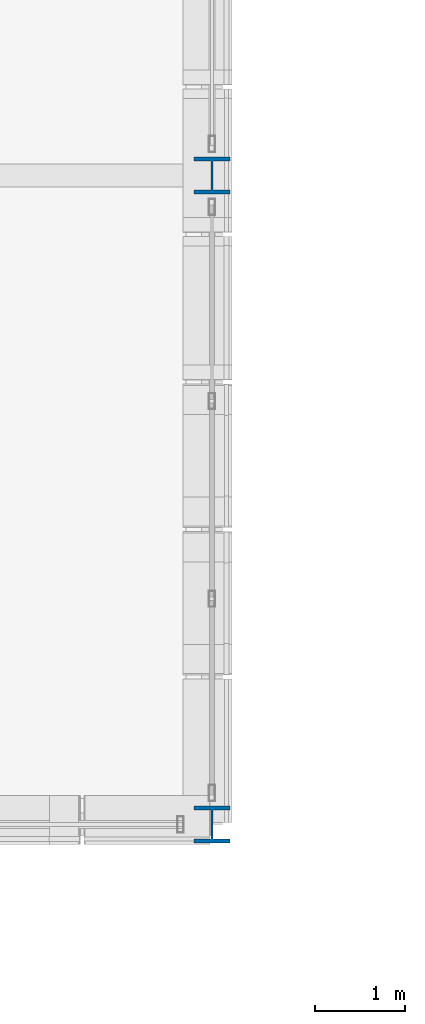
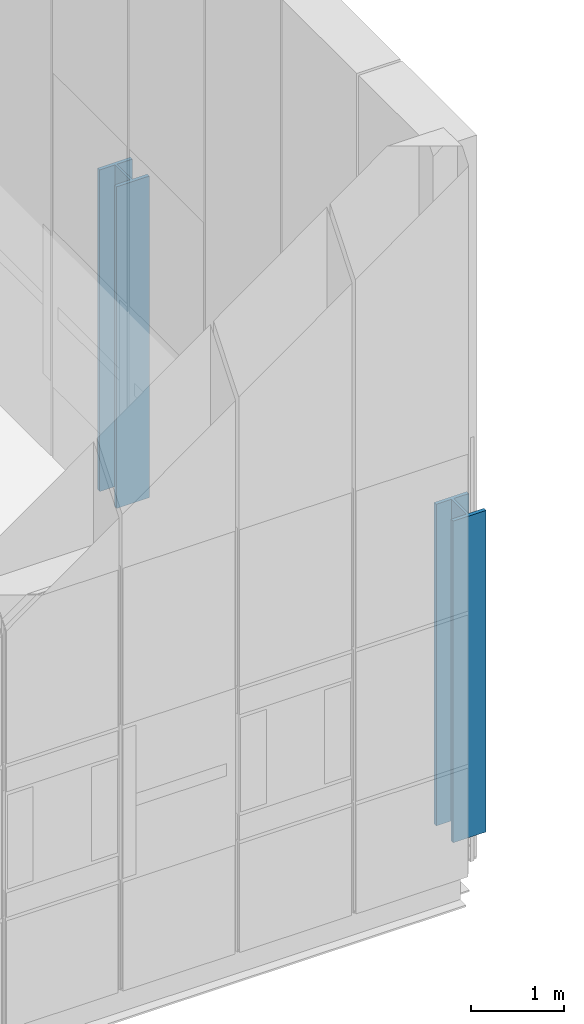
# One storey, part 2 of 144: 2 columns.
"""IFC4 building model written with IfcOpenShell, lengths in metres."""

from ifc_helpers import new_model, si_unit, direction, frame, origin, origin_2d, place, context, subcontext, project, spatial, i_section, extrude, material, material_profile, profile_set, type_object, element, save


model = new_model("IFC4")

# Units and contexts
model_context = context("Model", 3, precision=1e-05, world=origin(), true_north=direction((0.0, 1.0)))
body_context = subcontext(model_context, "Body", "Model", "MODEL_VIEW")
ifc_project = project(units=[si_unit("LENGTHUNIT", "METRE"), si_unit("AREAUNIT", "SQUARE_METRE"), si_unit("VOLUMEUNIT", "CUBIC_METRE"), si_unit("PLANEANGLEUNIT", "RADIAN"), si_unit("MASSUNIT", "GRAM", prefix="KILO")], contexts=[model_context])

# Site, building, storey
site_placement = place(None, origin())
site = spatial("IfcSite", under=ifc_project, at=site_placement, CompositionType="ELEMENT")
building_placement = place(site_placement, origin())
building = spatial("IfcBuilding", under=site, at=building_placement, Name="Yarey Park Central Fire Station", CompositionType="ELEMENT")
storey_placement = place(building_placement, frame((0.0, 0.0, 10.199951171875)))
storey = spatial("IfcBuildingStorey", under=building, at=storey_placement, Name="L03", CompositionType="ELEMENT", Elevation=10.199951171875)

# Columns
ifc_material = material(Name="Steel ASTM A992 Gr. 50", Category="steel")
ifc_material_profile = material_profile(ifc_material, i_section(OverallWidth=0.404052734375, OverallDepth=0.406982421875, WebThickness=0.027099609375, FlangeThickness=0.043701171875, at=origin_2d()), Name="W360x347")
ifc_profile_set = profile_set([ifc_material_profile], Name="Steel ASTM A992 Gr. 50")
column_type = type_object("IfcColumnType", Name="STR_COL_W360_EXT", PredefinedType="COLUMN", material=ifc_profile_set)
for number, where, z_axis, x_axis, name in (
    (1, (57.60009765625, 21.60009765625, 0.0), (0.0, 0.0, 1.0), (1.0, 0.0, 0.0), "COL_L03_X576_Y216"),
    (2, (57.60009765625, 28.800048828125, 0.0), (0.0, 0.0, 1.0), (1.0, 0.0, 0.0), "COL_L03_X576_Y288"),
):
    element("IfcColumn", number, at=place(storey_placement, frame(where, z_axis=z_axis, x_axis=x_axis)), inside=storey, type_object=column_type, Name=name, PredefinedType="COLUMN", context=body_context, shape_type="SweptSolid", body=[
        extrude(i_section(OverallWidth=0.404052734375, OverallDepth=0.406982421875, WebThickness=0.027099609375, FlangeThickness=0.043701171875, at=origin_2d()), origin(), (0.0, 0.0, 1.0), 4.199951171875),
    ])

save(model, "model.ifc")
